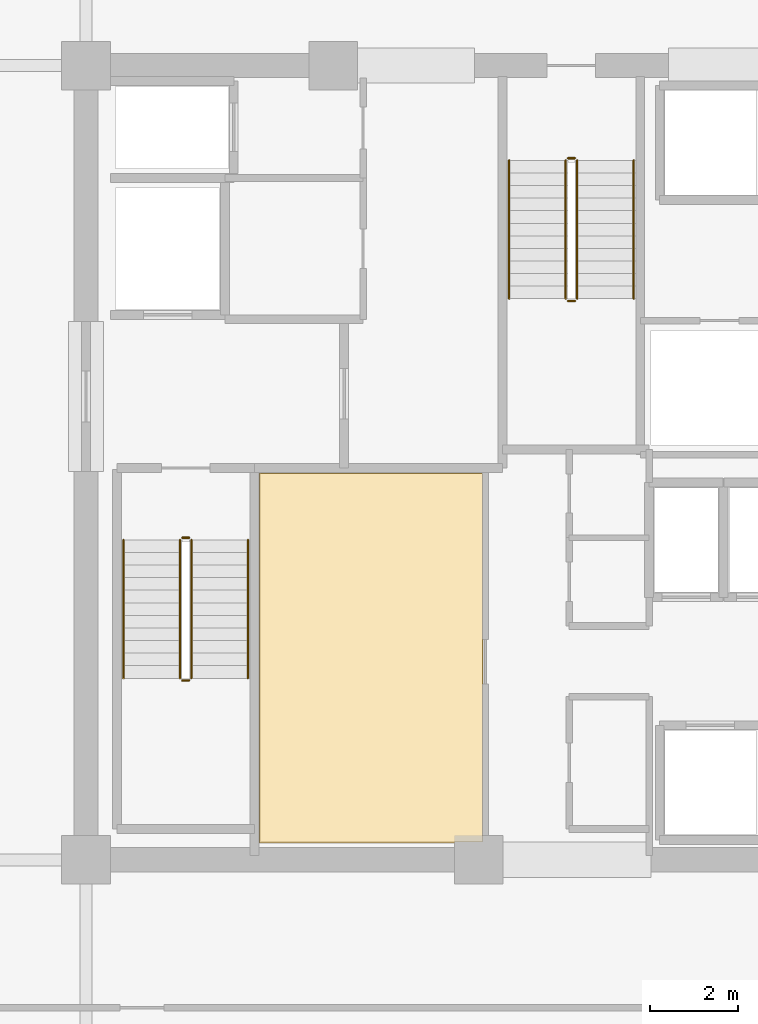
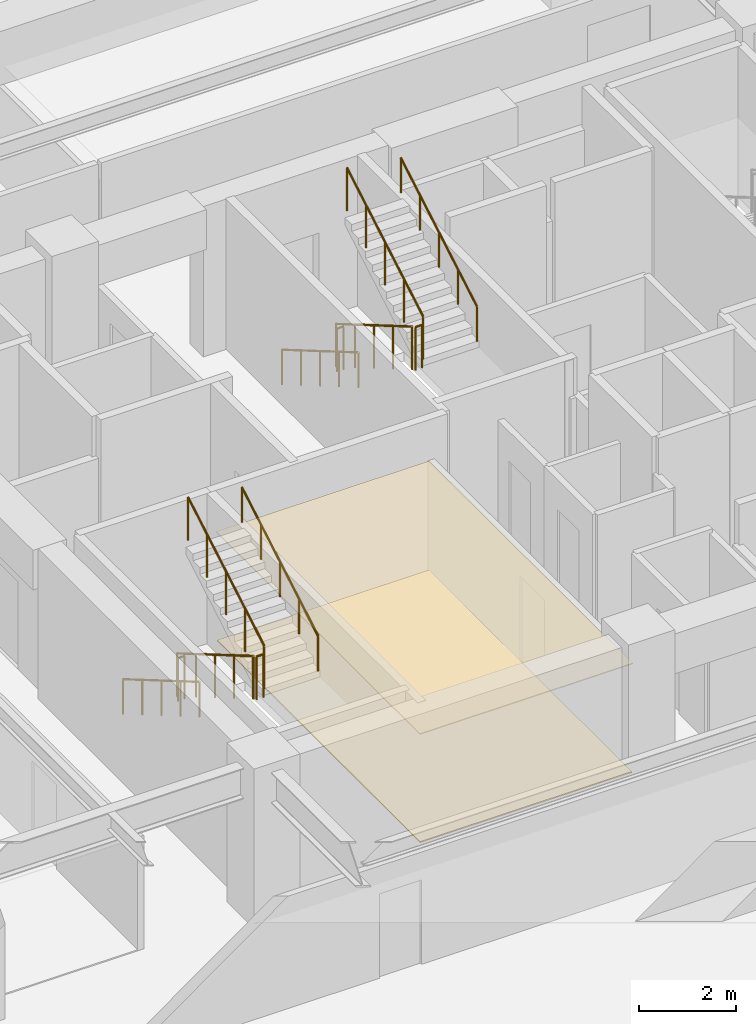
# One storey, part 17 of 20: 12 railings, 2 coverings.
"""IFC4 building model written with IfcOpenShell, lengths in metres."""

from ifc_helpers import new_model, si_unit, direction, frame, origin, origin_2d, place, context, subcontext, project, spatial, polyline, circle, outline, extrude, material, layer, layer_set, type_object, element, save


model = new_model("IFC4")

# Units and contexts
model_context = context("Model", 3, precision=1e-05, world=origin(), true_north=direction((0.0, 1.0)))
body_context = subcontext(model_context, "Body", "Model", "MODEL_VIEW")
ifc_project = project(units=[si_unit("LENGTHUNIT", "METRE"), si_unit("AREAUNIT", "SQUARE_METRE"), si_unit("VOLUMEUNIT", "CUBIC_METRE"), si_unit("PLANEANGLEUNIT", "RADIAN"), si_unit("MASSUNIT", "GRAM", prefix="KILO")], contexts=[model_context])

# Site, building, storey
site_placement = place(None, origin())
site = spatial("IfcSite", under=ifc_project, at=site_placement, CompositionType="ELEMENT")
building_placement = place(site_placement, origin())
building = spatial("IfcBuilding", under=site, at=building_placement, Name="Kovane Verandah Tower", CompositionType="ELEMENT")
storey_placement = place(building_placement, frame((0.0, 0.0, 128.39990234375)))
storey = spatial("IfcBuildingStorey", under=building, at=storey_placement, Name="L29", CompositionType="ELEMENT", Elevation=128.39990234375)

# Coverings
ifc_material_1 = material(Name="Perforated Acoustic Mineral-Fibre Ceiling Tile", Category="gypsum")
ifc_layer_1 = layer(ifc_material_1, 0.02490234375)
ifc_layer_set_1 = layer_set([ifc_layer_1], Name="Perforated Acoustic Mineral-Fibre Ceiling Tile")
covering_type_1 = type_object("IfcCoveringType", Name="CV-CEIL-25", PredefinedType="CEILING", material=ifc_layer_set_1)
covering_1_placement = place(storey_placement, frame((0.0, 0.0, 2.72998046875)))
element("IfcCovering", 1, at=covering_1_placement, inside=storey, type_object=covering_type_1, Name="L29 Tenant Wellness and Archive Suite Acoustic Ceiling", PredefinedType="CEILING", context=body_context, shape_type="SweptSolid", body=[
    extrude(outline(polyline([(32.93505859375, 18.885009765625), (37.9951171875, 18.885009765625), (37.9951171875, 27.264892578125), (32.93505859375, 27.264892578125), (32.93505859375, 18.885009765625)])), origin(), (0.0, 0.0, 1.0), 0.025146484375),
])
ifc_material_2 = material(Name="Polished Terrazzo and Raised-Access Carpet Tile Finish", Category="concrete")
ifc_layer_2 = layer(ifc_material_2, 0.030029296875)
ifc_layer_set_2 = layer_set([ifc_layer_2], Name="Polished Terrazzo and Raised-Access Carpet Tile Finish")
covering_type_2 = type_object("IfcCoveringType", Name="CV-FLOR-30", PredefinedType="FLOORING", material=ifc_layer_set_2)
covering_2_placement = place(storey_placement, origin())
element("IfcCovering", 2, at=covering_2_placement, inside=storey, type_object=covering_type_2, Name="L29 Tenant Wellness and Archive Suite Floor Finish", PredefinedType="FLOORING", context=body_context, shape_type="SweptSolid", body=[
    extrude(outline(polyline([(32.949951171875, 18.89990234375), (37.97998046875, 18.89990234375), (37.97998046875, 27.25), (32.949951171875, 27.25), (32.949951171875, 18.89990234375)])), origin(), (0.0, 0.0, 1.0), 0.030029296875),
])

# Railings
ifc_material_3 = material(Name="Brushed Stainless Steel Handrail", Category="steel")
railing_type_1 = type_object("IfcRailingType", Name="RL-HAND-920", PredefinedType="HANDRAIL", material=ifc_material_3)
railing_1_placement = place(storey_placement, frame((29.85009765625, 25.75, 0.166748046875)))
element("IfcRailing", 3, at=railing_1_placement, inside=storey, type_object=railing_type_1, Name="L29 ST-01 stair handrail 1", PredefinedType="HANDRAIL", context=body_context, shape_type="SweptSolid", body=[
    extrude(circle(Radius=0.02392578125, at=origin_2d()), frame((0.0, 0.0, 0.8759765625), z_axis=(0.0, -0.863239559939, 0.504794475164), x_axis=(1.0, 0.0, 0.0)), (0.0, 0.0, 1.0), 3.631591796875),
    extrude(circle(Radius=0.02099609375, at=origin_2d()), origin(), (0.0, 0.0, 1.0), 0.851806640625),
    extrude(circle(Radius=0.02099609375, at=origin_2d()), frame((0.0, -0.78369140625, 0.458251953125)), (0.0, 0.0, 1.0), 0.851806640625),
    extrude(circle(Radius=0.02099609375, at=origin_2d()), frame((0.0, -1.5673828125, 0.91650390625)), (0.0, 0.0, 1.0), 0.851806640625),
    extrude(circle(Radius=0.02099609375, at=origin_2d()), frame((0.0, -2.351318359375, 1.375)), (0.0, 0.0, 1.0), 0.851806640625),
    extrude(circle(Radius=0.02099609375, at=origin_2d()), frame((0.0, -3.135009765625, 1.833251953125)), (0.0, 0.0, 1.0), 0.851806640625),
])
railing_2_placement = place(storey_placement, frame((32.669921875, 22.614990234375, 2.166748046875)))
element("IfcRailing", 4, at=railing_2_placement, inside=storey, type_object=railing_type_1, Name="L29 ST-01 stair handrail 2", PredefinedType="HANDRAIL", context=body_context, shape_type="SweptSolid", body=[
    extrude(circle(Radius=0.02392578125, at=origin_2d()), frame((0.0, 0.0, 0.8759765625), z_axis=(0.0, 0.863239559939, 0.504794475164), x_axis=(-1.0, 0.0, 0.0)), (0.0, 0.0, 1.0), 3.631591796875),
    extrude(circle(Radius=0.02099609375, at=origin_2d()), origin(), (0.0, 0.0, 1.0), 0.851806640625),
    extrude(circle(Radius=0.02099609375, at=origin_2d()), frame((0.0, 0.78369140625, 0.458251953125)), (0.0, 0.0, 1.0), 0.851806640625),
    extrude(circle(Radius=0.02099609375, at=origin_2d()), frame((0.0, 1.5673828125, 0.91650390625)), (0.0, 0.0, 1.0), 0.851806640625),
    extrude(circle(Radius=0.02099609375, at=origin_2d()), frame((0.0, 2.351318359375, 1.375)), (0.0, 0.0, 1.0), 0.851806640625),
    extrude(circle(Radius=0.02099609375, at=origin_2d()), frame((0.0, 3.135009765625, 1.833251953125)), (0.0, 0.0, 1.0), 0.851806640625),
])
railing_3_placement = place(storey_placement, frame((38.590087890625, 34.35009765625, 0.166748046875)))
element("IfcRailing", 5, at=railing_3_placement, inside=storey, type_object=railing_type_1, Name="L29 ST-03 stair handrail 1", PredefinedType="HANDRAIL", context=body_context, shape_type="SweptSolid", body=[
    extrude(circle(Radius=0.02392578125, at=origin_2d()), frame((0.0, 0.0, 0.8759765625), z_axis=(0.0, -0.863239559939, 0.504794475164), x_axis=(1.0, 0.0, 0.0)), (0.0, 0.0, 1.0), 3.631591796875),
    extrude(circle(Radius=0.02099609375, at=origin_2d()), origin(), (0.0, 0.0, 1.0), 0.851806640625),
    extrude(circle(Radius=0.02099609375, at=origin_2d()), frame((0.0, -0.78369140625, 0.458251953125)), (0.0, 0.0, 1.0), 0.851806640625),
    extrude(circle(Radius=0.02099609375, at=origin_2d()), frame((0.0, -1.5673828125, 0.91650390625)), (0.0, 0.0, 1.0), 0.851806640625),
    extrude(circle(Radius=0.02099609375, at=origin_2d()), frame((0.0, -2.351318359375, 1.375)), (0.0, 0.0, 1.0), 0.851806640625),
    extrude(circle(Radius=0.02099609375, at=origin_2d()), frame((0.0, -3.135009765625, 1.833251953125)), (0.0, 0.0, 1.0), 0.851806640625),
])
railing_4_placement = place(storey_placement, frame((41.409912109375, 31.215087890625, 2.166748046875)))
element("IfcRailing", 6, at=railing_4_placement, inside=storey, type_object=railing_type_1, Name="L29 ST-03 stair handrail 2", PredefinedType="HANDRAIL", context=body_context, shape_type="SweptSolid", body=[
    extrude(circle(Radius=0.02392578125, at=origin_2d()), frame((0.0, 0.0, 0.8759765625), z_axis=(0.0, 0.863239559939, 0.504794475164), x_axis=(-1.0, 0.0, 0.0)), (0.0, 0.0, 1.0), 3.631591796875),
    extrude(circle(Radius=0.02099609375, at=origin_2d()), origin(), (0.0, 0.0, 1.0), 0.851806640625),
    extrude(circle(Radius=0.02099609375, at=origin_2d()), frame((0.0, 0.78369140625, 0.458251953125)), (0.0, 0.0, 1.0), 0.851806640625),
    extrude(circle(Radius=0.02099609375, at=origin_2d()), frame((0.0, 1.5673828125, 0.91650390625)), (0.0, 0.0, 1.0), 0.851806640625),
    extrude(circle(Radius=0.02099609375, at=origin_2d()), frame((0.0, 2.351318359375, 1.375)), (0.0, 0.0, 1.0), 0.851806640625),
    extrude(circle(Radius=0.02099609375, at=origin_2d()), frame((0.0, 3.135009765625, 1.833251953125)), (0.0, 0.0, 1.0), 0.851806640625),
])
ifc_material_4 = material(Name="Painted Steel Stairwell Guardrail", Category="steel")
railing_type_2 = type_object("IfcRailingType", Name="RL-STGUARD-1120", PredefinedType="GUARDRAIL", material=ifc_material_4)
railing_5_placement = place(storey_placement, frame((31.1298828125, 25.75, 0.166748046875)))
element("IfcRailing", 7, at=railing_5_placement, inside=storey, type_object=railing_type_2, Name="L29 ST-01 stair guard 1", PredefinedType="GUARDRAIL", context=body_context, shape_type="SweptSolid", body=[
    extrude(circle(Radius=0.02392578125, at=origin_2d()), frame((0.0, 0.0, 1.076171875), z_axis=(0.0, -0.863239559939, 0.504794475164), x_axis=(1.0, 0.0, 0.0)), (0.0, 0.0, 1.0), 3.631591796875),
    extrude(circle(Radius=0.02099609375, at=origin_2d()), origin(), (0.0, 0.0, 1.0), 1.052001953125),
    extrude(circle(Radius=0.02099609375, at=origin_2d()), frame((0.0, -0.78369140625, 0.458251953125)), (0.0, 0.0, 1.0), 1.052001953125),
    extrude(circle(Radius=0.02099609375, at=origin_2d()), frame((0.0, -1.5673828125, 0.91650390625)), (0.0, 0.0, 1.0), 1.052001953125),
    extrude(circle(Radius=0.02099609375, at=origin_2d()), frame((0.0, -2.351318359375, 1.375)), (0.0, 0.0, 1.0), 1.052001953125),
    extrude(circle(Radius=0.02099609375, at=origin_2d()), frame((0.0, -3.135009765625, 1.833251953125)), (0.0, 0.0, 1.0), 1.052001953125),
])
railing_6_placement = place(storey_placement, frame((31.179931640625, 22.56494140625, 2.0)))
element("IfcRailing", 8, at=railing_6_placement, inside=storey, type_object=railing_type_2, Name="L29 ST-01 stair guard 2", PredefinedType="GUARDRAIL", context=body_context, shape_type="SweptSolid", body=[
    extrude(circle(Radius=0.02392578125, at=origin_2d()), frame((0.0, 0.0, 1.076171875), z_axis=(1.0, 0.0, 0.0), x_axis=(0.0, 1.0, 0.0)), (0.0, 0.0, 1.0), 0.16015625),
    extrude(circle(Radius=0.02099609375, at=origin_2d()), origin(), (0.0, 0.0, 1.0), 1.052001953125),
    extrude(circle(Radius=0.02099609375, at=origin_2d()), frame((0.16015625, 0.0, 0.0)), (0.0, 0.0, 1.0), 1.052001953125),
])
railing_7_placement = place(storey_placement, frame((31.389892578125, 22.614990234375, 2.166748046875)))
element("IfcRailing", 9, at=railing_7_placement, inside=storey, type_object=railing_type_2, Name="L29 ST-01 stair guard 3", PredefinedType="GUARDRAIL", context=body_context, shape_type="SweptSolid", body=[
    extrude(circle(Radius=0.02392578125, at=origin_2d()), frame((0.0, 0.0, 1.076171875), z_axis=(0.0, 0.863239559939, 0.504794475164), x_axis=(-1.0, 0.0, 0.0)), (0.0, 0.0, 1.0), 3.631591796875),
    extrude(circle(Radius=0.02099609375, at=origin_2d()), origin(), (0.0, 0.0, 1.0), 1.052001953125),
    extrude(circle(Radius=0.02099609375, at=origin_2d()), frame((0.0, 0.78369140625, 0.458251953125)), (0.0, 0.0, 1.0), 1.052001953125),
    extrude(circle(Radius=0.02099609375, at=origin_2d()), frame((0.0, 1.5673828125, 0.91650390625)), (0.0, 0.0, 1.0), 1.052001953125),
    extrude(circle(Radius=0.02099609375, at=origin_2d()), frame((0.0, 2.351318359375, 1.375)), (0.0, 0.0, 1.0), 1.052001953125),
    extrude(circle(Radius=0.02099609375, at=origin_2d()), frame((0.0, 3.135009765625, 1.833251953125)), (0.0, 0.0, 1.0), 1.052001953125),
])
railing_8_placement = place(storey_placement, frame((31.179931640625, 25.800048828125, 0.0)))
element("IfcRailing", 10, at=railing_8_placement, inside=storey, type_object=railing_type_2, Name="L29 ST-01 stair guard 4", PredefinedType="GUARDRAIL", context=body_context, shape_type="SweptSolid", body=[
    extrude(circle(Radius=0.02392578125, at=origin_2d()), frame((0.0, 0.0, 1.076171875), z_axis=(1.0, 0.0, 0.0), x_axis=(0.0, 1.0, 0.0)), (0.0, 0.0, 1.0), 0.16015625),
    extrude(circle(Radius=0.02099609375, at=origin_2d()), origin(), (0.0, 0.0, 1.0), 1.052001953125),
    extrude(circle(Radius=0.02099609375, at=origin_2d()), frame((0.16015625, 0.0, 0.0)), (0.0, 0.0, 1.0), 1.052001953125),
])
railing_9_placement = place(storey_placement, frame((39.8701171875, 34.35009765625, 0.166748046875)))
element("IfcRailing", 11, at=railing_9_placement, inside=storey, type_object=railing_type_2, Name="L29 ST-03 stair guard 1", PredefinedType="GUARDRAIL", context=body_context, shape_type="SweptSolid", body=[
    extrude(circle(Radius=0.02392578125, at=origin_2d()), frame((0.0, 0.0, 1.076171875), z_axis=(0.0, -0.863239559939, 0.504794475164), x_axis=(1.0, 0.0, 0.0)), (0.0, 0.0, 1.0), 3.631591796875),
    extrude(circle(Radius=0.02099609375, at=origin_2d()), origin(), (0.0, 0.0, 1.0), 1.052001953125),
    extrude(circle(Radius=0.02099609375, at=origin_2d()), frame((0.0, -0.78369140625, 0.458251953125)), (0.0, 0.0, 1.0), 1.052001953125),
    extrude(circle(Radius=0.02099609375, at=origin_2d()), frame((0.0, -1.5673828125, 0.91650390625)), (0.0, 0.0, 1.0), 1.052001953125),
    extrude(circle(Radius=0.02099609375, at=origin_2d()), frame((0.0, -2.351318359375, 1.375)), (0.0, 0.0, 1.0), 1.052001953125),
    extrude(circle(Radius=0.02099609375, at=origin_2d()), frame((0.0, -3.135009765625, 1.833251953125)), (0.0, 0.0, 1.0), 1.052001953125),
])
railing_10_placement = place(storey_placement, frame((39.919921875, 31.1650390625, 2.0)))
element("IfcRailing", 12, at=railing_10_placement, inside=storey, type_object=railing_type_2, Name="L29 ST-03 stair guard 2", PredefinedType="GUARDRAIL", context=body_context, shape_type="SweptSolid", body=[
    extrude(circle(Radius=0.02392578125, at=origin_2d()), frame((0.0, 0.0, 1.076171875), z_axis=(1.0, 0.0, 0.0), x_axis=(0.0, 1.0, 0.0)), (0.0, 0.0, 1.0), 0.16015625),
    extrude(circle(Radius=0.02099609375, at=origin_2d()), origin(), (0.0, 0.0, 1.0), 1.052001953125),
    extrude(circle(Radius=0.02099609375, at=origin_2d()), frame((0.16015625, 0.0, 0.0)), (0.0, 0.0, 1.0), 1.052001953125),
])
railing_11_placement = place(storey_placement, frame((40.1298828125, 31.215087890625, 2.166748046875)))
element("IfcRailing", 13, at=railing_11_placement, inside=storey, type_object=railing_type_2, Name="L29 ST-03 stair guard 3", PredefinedType="GUARDRAIL", context=body_context, shape_type="SweptSolid", body=[
    extrude(circle(Radius=0.02392578125, at=origin_2d()), frame((0.0, 0.0, 1.076171875), z_axis=(0.0, 0.863239559939, 0.504794475164), x_axis=(-1.0, 0.0, 0.0)), (0.0, 0.0, 1.0), 3.631591796875),
    extrude(circle(Radius=0.02099609375, at=origin_2d()), origin(), (0.0, 0.0, 1.0), 1.052001953125),
    extrude(circle(Radius=0.02099609375, at=origin_2d()), frame((0.0, 0.78369140625, 0.458251953125)), (0.0, 0.0, 1.0), 1.052001953125),
    extrude(circle(Radius=0.02099609375, at=origin_2d()), frame((0.0, 1.5673828125, 0.91650390625)), (0.0, 0.0, 1.0), 1.052001953125),
    extrude(circle(Radius=0.02099609375, at=origin_2d()), frame((0.0, 2.351318359375, 1.375)), (0.0, 0.0, 1.0), 1.052001953125),
    extrude(circle(Radius=0.02099609375, at=origin_2d()), frame((0.0, 3.135009765625, 1.833251953125)), (0.0, 0.0, 1.0), 1.052001953125),
])
railing_12_placement = place(storey_placement, frame((39.919921875, 34.39990234375, 0.0)))
element("IfcRailing", 14, at=railing_12_placement, inside=storey, type_object=railing_type_2, Name="L29 ST-03 stair guard 4", PredefinedType="GUARDRAIL", context=body_context, shape_type="SweptSolid", body=[
    extrude(circle(Radius=0.02392578125, at=origin_2d()), frame((0.0, 0.0, 1.076171875), z_axis=(1.0, 0.0, 0.0), x_axis=(0.0, 1.0, 0.0)), (0.0, 0.0, 1.0), 0.16015625),
    extrude(circle(Radius=0.02099609375, at=origin_2d()), origin(), (0.0, 0.0, 1.0), 1.052001953125),
    extrude(circle(Radius=0.02099609375, at=origin_2d()), frame((0.16015625, 0.0, 0.0)), (0.0, 0.0, 1.0), 1.052001953125),
])

save(model, "model.ifc")
